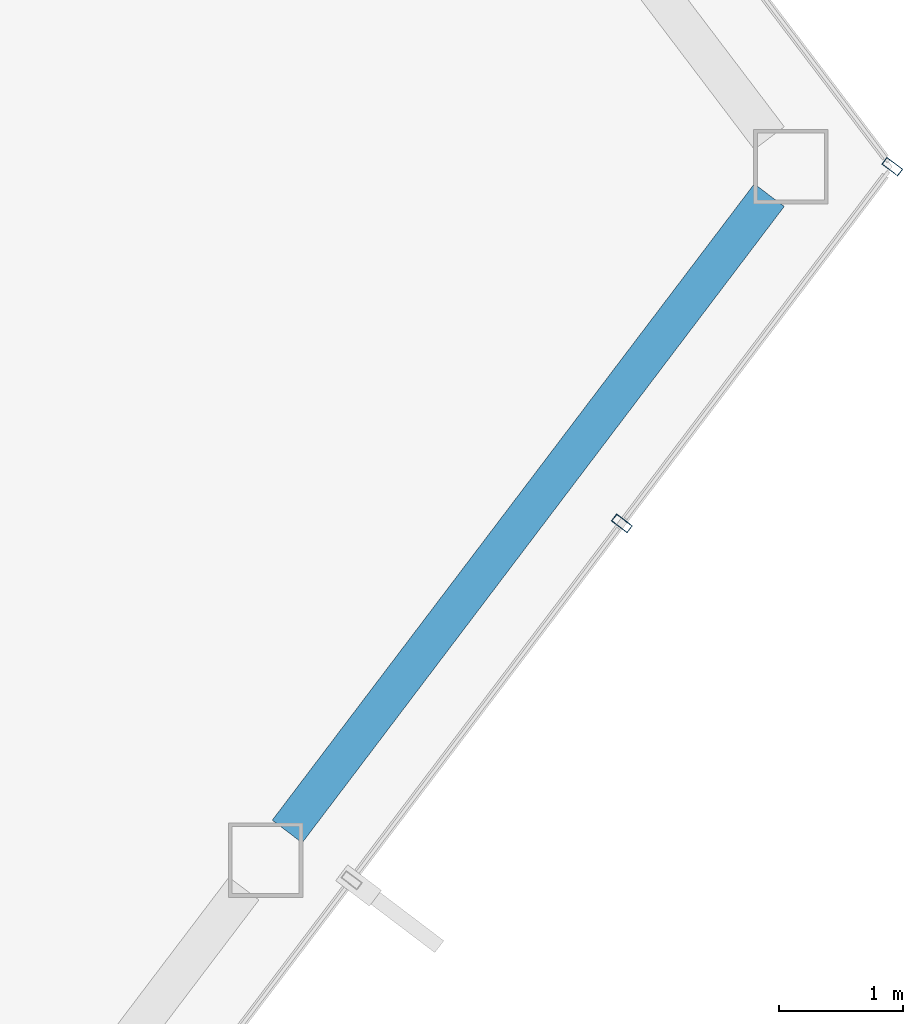
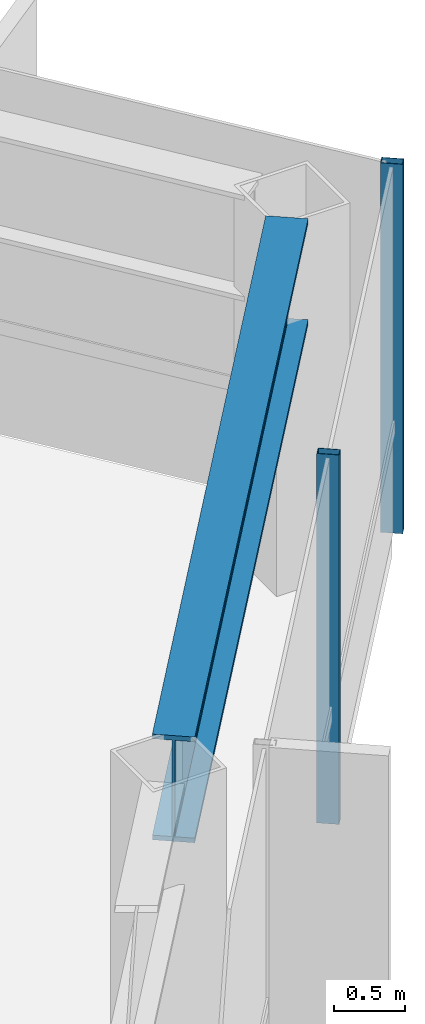
# One storey, part 18 of 25: 2 members, 1 beam, 1 element without a shape of its own.
"""IFC4 building model written with IfcOpenShell, lengths in metres."""

from ifc_helpers import new_model, si_unit, direction, frame, origin, origin_2d, place, context, subcontext, project, spatial, hollow_rectangle, i_section, extrude, material, layer, layer_set, material_profile, profile_set, type_object, element, aggregate, save


model = new_model("IFC4")

# Units and contexts
model_context = context("Model", 3, precision=1e-05, world=origin(), true_north=direction((0.0, 1.0)))
body_context = subcontext(model_context, "Body", "Model", "MODEL_VIEW")
ifc_project = project(units=[si_unit("LENGTHUNIT", "METRE"), si_unit("AREAUNIT", "SQUARE_METRE"), si_unit("VOLUMEUNIT", "CUBIC_METRE"), si_unit("PLANEANGLEUNIT", "RADIAN"), si_unit("MASSUNIT", "GRAM", prefix="KILO")], contexts=[model_context])

# Site, building, storey
site_placement = place(None, origin())
site = spatial("IfcSite", under=ifc_project, at=site_placement, CompositionType="ELEMENT")
building_placement = place(site_placement, origin())
building = spatial("IfcBuilding", under=site, at=building_placement, Name="Zarrinselat Tower", CompositionType="ELEMENT")
storey_placement = place(building_placement, frame((0.0, 0.0, 212.159912109375)))
storey = spatial("IfcBuildingStorey", under=building, at=storey_placement, Name="L52", CompositionType="ELEMENT", Elevation=212.159912109375)

# Beam
ifc_material_1 = material(Name="Steel S460M", Category="steel")
ifc_material_profile_1 = material_profile(ifc_material_1, i_section(OverallWidth=0.302001953125, OverallDepth=0.909912109375, WebThickness=0.02099609375, FlangeThickness=0.0400390625, at=origin_2d()), Name="HEM 900")
ifc_profile_set_1 = profile_set([ifc_material_profile_1], Name="Steel S460M")
beam_type = type_object("IfcBeamType", Name="BM-HEM900", PredefinedType="BEAM", material=ifc_profile_set_1)
beam_placement = place(storey_placement, frame((57.380126953125, 35.52783203125, 2.72509765625), z_axis=(0.603860615044, 0.797089930684, 0.0), x_axis=(-0.797089930684, 0.603860615044, 0.0)))
element("IfcBeam", 1, at=beam_placement, inside=storey, type_object=beam_type, Name="L52 Perimeter Spandrel Girder SP14", PredefinedType="BEAM", context=body_context, shape_type="SweptSolid", body=[
    extrude(i_section(OverallWidth=0.302001953125, OverallDepth=0.909912109375, WebThickness=0.02099609375, FlangeThickness=0.0400390625, at=origin_2d()), origin(), (0.0, 0.0, 1.0), 6.423583984375),
])

# Curtain wall, members
ifc_material_2 = material(Name="Extruded Aluminium Alloy EN AW-6063 T6", Category="aluminium")
ifc_layer = layer(ifc_material_2, 0.169921875)
ifc_layer_set = layer_set([ifc_layer], Name="Extruded Aluminium Alloy EN AW-6063 T6")
curtain_wall_type = type_object("IfcCurtainWallType", Name="CWS-RES", PredefinedType="NOTDEFINED", material=ifc_layer_set)
curtain_wall_placement = place(storey_placement, origin())
curtain_wall = element("IfcCurtainWall", 2, at=curtain_wall_placement, inside=storey, type_object=curtain_wall_type, Name="L52 Unitised Curtain Wall CW-L52-E05", PredefinedType="NOTDEFINED")
ifc_material_3 = material(Name="Extruded Aluminium Alloy EN AW-6063 T6", Category="aluminium")
ifc_material_profile_2 = material_profile(ifc_material_3, hollow_rectangle(XDim=0.070068359375, YDim=0.159912109375, WallThickness=0.00390625, at=origin_2d()), Name="RHS 160x70x4")
ifc_profile_set_2 = profile_set([ifc_material_profile_2], Name="Extruded Aluminium Alloy EN AW-6063 T6")
member_type = type_object("IfcMemberType", Name="MEM-CW-MUL2", PredefinedType="MULLION", material=ifc_profile_set_2)
member_1_placement = place(storey_placement, frame((60.073486328125, 38.006591796875, 0.0), z_axis=(0.0, 0.0, 1.0), x_axis=(0.603859492128, 0.797090781384, 0.0)))
member_1 = element("IfcMember", 3, at=member_1_placement, type_object=member_type, Name="CW-L52-E05 Mullion 8", PredefinedType="MULLION", context=body_context, shape_type="SweptSolid", body=[
    extrude(hollow_rectangle(XDim=0.070068359375, YDim=0.159912109375, WallThickness=0.00390625, at=origin_2d()), origin(), (0.0, 0.0, 1.0), 3.18017578125),
])
member_2_placement = place(storey_placement, frame((62.248291015625, 40.877685546875, 0.0), z_axis=(0.0, 0.0, 1.0), x_axis=(0.603859492128, 0.797090781384, 0.0)))
member_2 = element("IfcMember", 4, at=member_2_placement, type_object=member_type, Name="CW-L52-E05 Mullion 9", PredefinedType="MULLION", context=body_context, shape_type="SweptSolid", body=[
    extrude(hollow_rectangle(XDim=0.070068359375, YDim=0.159912109375, WallThickness=0.00390625, at=origin_2d()), origin(), (0.0, 0.0, 1.0), 3.18017578125),
])
aggregate(curtain_wall, [member_1, member_2])

save(model, "model.ifc")
